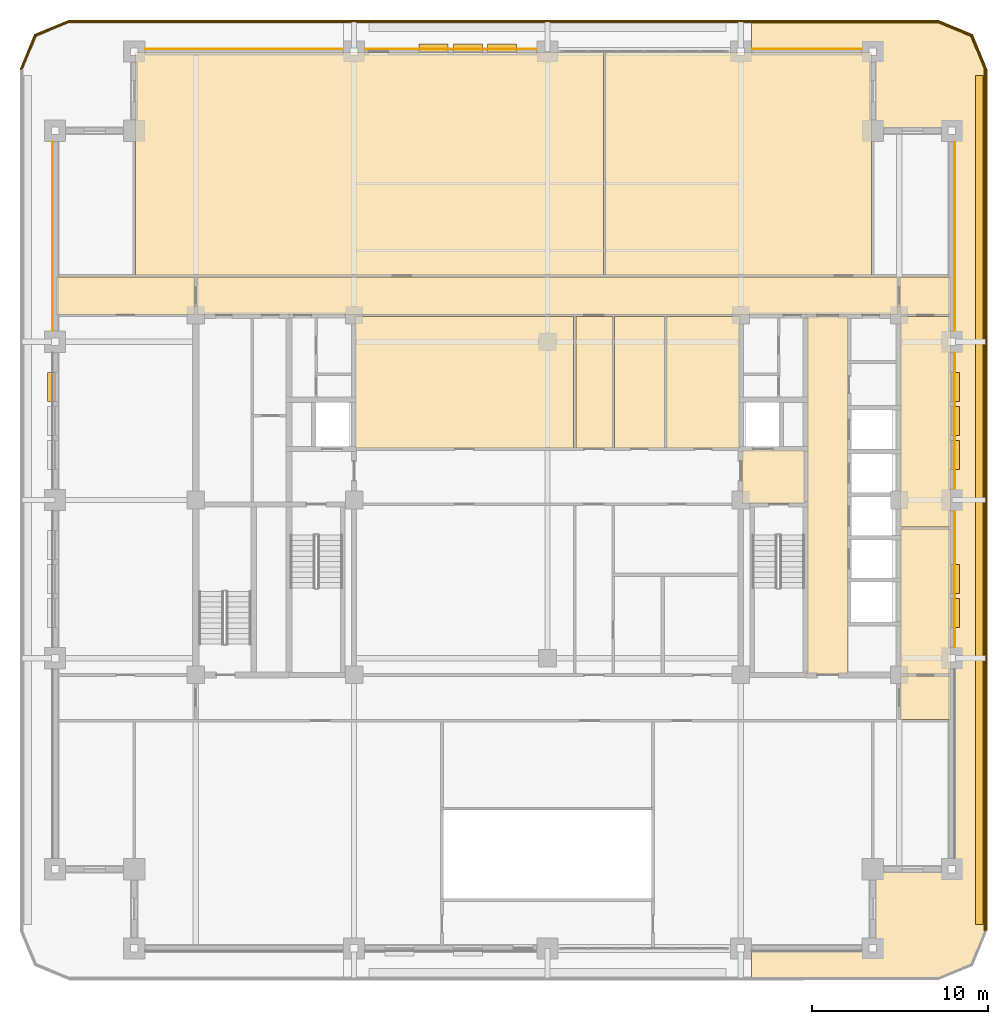
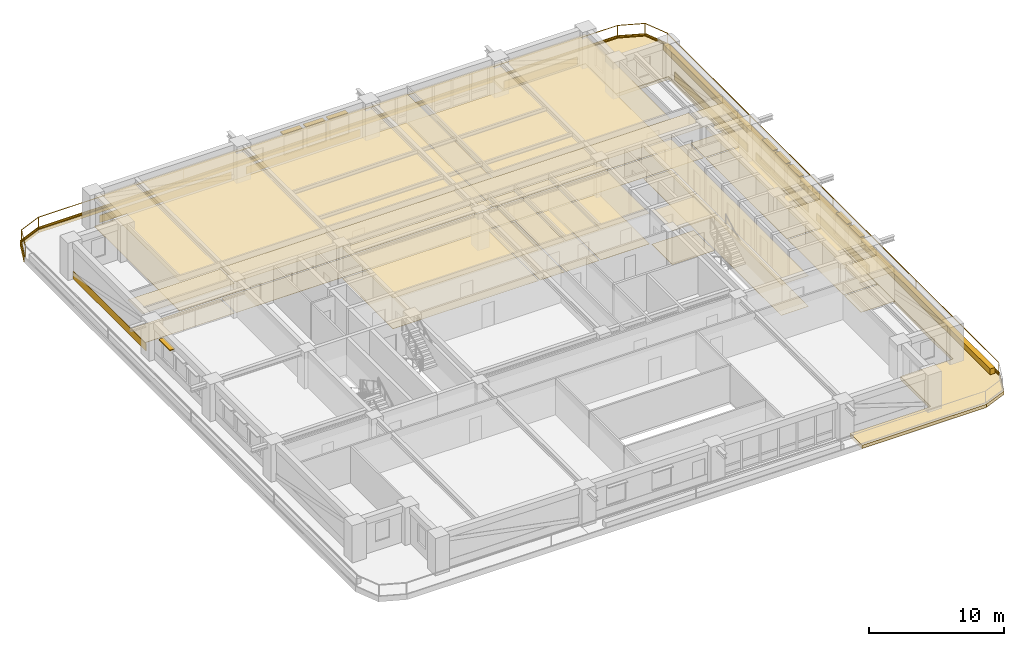
# One storey, part 20 of 20: 43 coverings, 9 shading devices, 2 railings.
"""IFC4 building model written with IfcOpenShell, lengths in metres."""

from ifc_helpers import new_model, si_unit, direction, frame, frame_2d, origin, origin_2d, place, context, subcontext, project, spatial, polyline, rectangle, outline, extrude, material, layer, layer_set, type_object, element, save


model = new_model("IFC4")

# Units and contexts
model_context = context("Model", 3, precision=1e-05, world=origin(), true_north=direction((0.0, 1.0)))
body_context = subcontext(model_context, "Body", "Model", "MODEL_VIEW")
ifc_project = project(units=[si_unit("LENGTHUNIT", "METRE"), si_unit("AREAUNIT", "SQUARE_METRE"), si_unit("VOLUMEUNIT", "CUBIC_METRE"), si_unit("PLANEANGLEUNIT", "RADIAN"), si_unit("MASSUNIT", "GRAM", prefix="KILO")], contexts=[model_context])

# Site, building, storey
site_placement = place(None, origin())
site = spatial("IfcSite", under=ifc_project, at=site_placement, CompositionType="ELEMENT")
building_placement = place(site_placement, origin())
building = spatial("IfcBuilding", under=site, at=building_placement, Name="Zulmaris Gate Convention Tower", CompositionType="ELEMENT")
storey_placement = place(building_placement, frame((0.0, 0.0, 146.33984375)))
storey = spatial("IfcBuildingStorey", under=building, at=storey_placement, Name="L37", CompositionType="ELEMENT", Elevation=146.33984375)

# Coverings
ifc_material_1 = material(Name="Precast concrete C40/50", Category="concrete")
ifc_layer_1 = layer(ifc_material_1, 0.0400390625, Name="Precast concrete C40/50")
ifc_layer_set_1 = layer_set([ifc_layer_1], Name="Precast concrete C40/50")
covering_type_1 = type_object("IfcCoveringType", Name="CLAD-SPANDREL-PRECAST", PredefinedType="CLADDING", material=ifc_layer_set_1)
covering_1_placement = place(storey_placement, frame((-11.6298828125, 25.64990234375, 0.0), z_axis=(0.0, 0.0, 1.0), x_axis=(-1.0, 0.0, 0.0)))
element("IfcCovering", 1, at=covering_1_placement, inside=storey, type_object=covering_type_1, Name="CLD-L37-N-0_0", PredefinedType="CLADDING", context=body_context, shape_type="SweptSolid", body=[
    extrude(rectangle(XDim=11.240234375, YDim=0.0400390625, at=frame_2d((5.6201171875, 0.0))), origin(), (0.0, 0.0, 1.0), 0.679931640625),
])
covering_2_placement = place(storey_placement, frame((-0.6298828125, 25.64990234375, 0.0), z_axis=(0.0, 0.0, 1.0), x_axis=(-1.0, 0.0, 0.0)))
element("IfcCovering", 2, at=covering_2_placement, inside=storey, type_object=covering_type_1, Name="CLD-L37-N-1_0", PredefinedType="CLADDING", context=body_context, shape_type="SweptSolid", body=[
    extrude(rectangle(XDim=9.740234375, YDim=0.0400390625, at=frame_2d((4.8701171875, 0.0))), origin(), (0.0, 0.0, 1.0), 0.679931640625),
])
covering_3_placement = place(storey_placement, frame((17.8701171875, 25.64990234375, 0.0), z_axis=(0.0, 0.0, 1.0), x_axis=(-1.0, 0.0, 0.0)))
element("IfcCovering", 3, at=covering_3_placement, inside=storey, type_object=covering_type_1, Name="CLD-L37-N-3_0", PredefinedType="CLADDING", context=body_context, shape_type="SweptSolid", body=[
    extrude(rectangle(XDim=6.240234375, YDim=0.0400390625, at=frame_2d((3.1201171875, 0.0))), origin(), (0.0, 0.0, 1.0), 0.679931640625),
])
for number, where, z_axis, x_axis, name in (
    (4, (23.14990234375, -8.3701171875, 0.0), (0.0, 0.0, 1.0), (0.0, 1.0, 0.0), "CLD-L37-E-1_0"),
    (5, (23.14990234375, 0.6298828125, 0.0), (0.0, 0.0, 1.0), (0.0, 1.0, 0.0), "CLD-L37-E-2_0"),
):
    element("IfcCovering", number, at=place(storey_placement, frame(where, z_axis=z_axis, x_axis=x_axis)), inside=storey, type_object=covering_type_1, Name=name, PredefinedType="CLADDING", context=body_context, shape_type="SweptSolid", body=[
        extrude(rectangle(XDim=7.740234375, YDim=0.0400390625, at=frame_2d((3.8701171875, 0.0))), origin(), (0.0, 0.0, 1.0), 0.679931640625),
    ])
for number, where, z_axis, x_axis, name in (
    (6, (23.14990234375, 9.6298828125, 0.0), (0.0, 0.0, 1.0), (0.0, 1.0, 0.0), "CLD-L37-E-3_0"),
    (7, (-28.14990234375, 20.3701171875, 0.0), (0.0, 0.0, 1.0), (0.0, -1.0, 0.0), "CLD-L37-W-3_0"),
):
    element("IfcCovering", number, at=place(storey_placement, frame(where, z_axis=z_axis, x_axis=x_axis)), inside=storey, type_object=covering_type_1, Name=name, PredefinedType="CLADDING", context=body_context, shape_type="SweptSolid", body=[
        extrude(rectangle(XDim=10.740234375, YDim=0.0400390625, at=frame_2d((5.3701171875, 0.0))), origin(), (0.0, 0.0, 1.0), 0.679931640625),
    ])
ifc_material_2 = material(Name="White Glazed Architectural Precast Concrete C40/50", Category="concrete")
ifc_layer_2 = layer(ifc_material_2, 0.239990234375, Name="White Glazed Architectural Precast Concrete C40/50")
ifc_layer_set_2 = layer_set([ifc_layer_2], Name="White Glazed Architectural Precast Concrete C40/50")
covering_type_2 = type_object("IfcCoveringType", Name="CLAD-TRAY-DECK", PredefinedType="CLADDING", material=ifc_layer_set_2)
covering_4_placement = place(storey_placement, frame((0.0, 0.0, -0.324951171875)))
element("IfcCovering", 8, at=covering_4_placement, inside=storey, type_object=covering_type_2, Name="L37 East Rounded-Fascia Planter Tray Deck", PredefinedType="CLADDING", context=body_context, shape_type="SweptSolid", body=[
    extrude(outline(polyline([(22.199951171875, 27.300048828125), (24.179931640625, 26.47998046875), (25.0, 24.5), (25.0, -24.5), (24.179931640625, -26.47998046875), (22.199951171875, -27.300048828125), (11.60205078125, -27.300048828125), (11.60205078125, -25.5), (18.5, -25.5), (18.5, -21.0), (23.0, -21.0), (23.0, 21.0), (18.5, 21.0), (18.5, 25.5), (11.60205078125, 25.5), (11.60205078125, 27.300048828125), (22.199951171875, 27.300048828125)])), origin(), (0.0, 0.0, 1.0), 0.284912109375),
])
ifc_layer_3 = layer(ifc_material_2, 0.080078125, Name="White Glazed Architectural Precast Concrete C40/50")
ifc_layer_set_3 = layer_set([ifc_layer_3], Name="White Glazed Architectural Precast Concrete C40/50")
covering_type_3 = type_object("IfcCoveringType", Name="CLAD-TRAY-FASCIA", PredefinedType="CLADDING", material=ifc_layer_set_3)
covering_5_placement = place(storey_placement, frame((24.9599609375, -24.5, -0.364990234375), z_axis=(0.0, 0.0, 1.0), x_axis=(0.0, 1.0, 0.0)))
element("IfcCovering", 9, at=covering_5_placement, inside=storey, type_object=covering_type_3, Name="FSC-L37-TR-05", PredefinedType="CLADDING", context=body_context, shape_type="SweptSolid", body=[
    extrude(rectangle(XDim=49.0, YDim=0.080078125, at=frame_2d((24.5, 0.0))), origin(), (0.0, 0.0, 1.0), 0.48486328125),
])
covering_6_placement = place(storey_placement, frame((24.962890625, 24.484619140625, -0.364990234375), z_axis=(0.0, 0.0, 1.0), x_axis=(-0.382656984709, 0.923890487046, 0.0)))
element("IfcCovering", 10, at=covering_6_placement, inside=storey, type_object=covering_type_3, Name="FSC-L37-TR-06", PredefinedType="CLADDING", context=body_context, shape_type="SweptSolid", body=[
    extrude(rectangle(XDim=2.14306640625, YDim=0.080078125, at=frame_2d((1.071533203125, 0.0))), origin(), (0.0, 0.0, 1.0), 0.48486328125),
])
covering_7_placement = place(storey_placement, frame((24.16455078125, 26.44287109375, -0.364990234375), z_axis=(0.0, 0.0, 1.0), x_axis=(-0.923873803533, 0.382697263049, 0.0)))
element("IfcCovering", 11, at=covering_7_placement, inside=storey, type_object=covering_type_3, Name="FSC-L37-TR-07", PredefinedType="CLADDING", context=body_context, shape_type="SweptSolid", body=[
    extrude(rectangle(XDim=2.142822265625, YDim=0.080078125, at=frame_2d((1.0712890625, 0.0))), origin(), (0.0, 0.0, 1.0), 0.48486328125),
])
covering_8_placement = place(storey_placement, frame((22.199951171875, 27.260009765625, -0.364990234375), z_axis=(0.0, 0.0, 1.0), x_axis=(-1.0, 0.0, 0.0)))
element("IfcCovering", 12, at=covering_8_placement, inside=storey, type_object=covering_type_3, Name="FSC-L37-TR-08", PredefinedType="CLADDING", context=body_context, shape_type="SweptSolid", body=[
    extrude(rectangle(XDim=49.39990234375, YDim=0.080078125, at=frame_2d((24.699951171875, 0.0))), origin(), (0.0, 0.0, 1.0), 0.48486328125),
])
covering_9_placement = place(storey_placement, frame((-27.184814453125, 27.262939453125, -0.364990234375), z_axis=(0.0, 0.0, 1.0), x_axis=(-0.923873803533, -0.382697263049, 0.0)))
element("IfcCovering", 13, at=covering_9_placement, inside=storey, type_object=covering_type_3, Name="FSC-L37-TR-09", PredefinedType="CLADDING", context=body_context, shape_type="SweptSolid", body=[
    extrude(rectangle(XDim=2.142822265625, YDim=0.080078125, at=frame_2d((1.0712890625, 0.0))), origin(), (0.0, 0.0, 1.0), 0.48486328125),
])
covering_10_placement = place(storey_placement, frame((-29.142822265625, 26.464599609375, -0.364990234375), z_axis=(0.0, 0.0, 1.0), x_axis=(-0.382656984709, -0.923890487046, 0.0)))
element("IfcCovering", 14, at=covering_10_placement, inside=storey, type_object=covering_type_3, Name="FSC-L37-TR-10", PredefinedType="CLADDING", context=body_context, shape_type="SweptSolid", body=[
    extrude(rectangle(XDim=2.14306640625, YDim=0.080078125, at=frame_2d((1.071533203125, 0.0))), origin(), (0.0, 0.0, 1.0), 0.48486328125),
])
ifc_material_3 = material(Name="Mineral Fibre Acoustic Ceiling Tile")
ifc_layer_4 = layer(ifc_material_3, 0.02001953125, Name="Mineral Fibre Acoustic Ceiling Tile")
ifc_layer_set_4 = layer_set([ifc_layer_4], Name="Mineral Fibre Acoustic Ceiling Tile")
covering_type_4 = type_object("IfcCoveringType", Name="CLG-ACOUSTIC-600", PredefinedType="CEILING", material=ifc_layer_set_4)
covering_11_placement = place(storey_placement, frame((0.0, 0.0, 3.0400390625)))
element("IfcCovering", 15, at=covering_11_placement, inside=storey, type_object=covering_type_4, Name="CLG-L37-R08", PredefinedType="CEILING", context=body_context, shape_type="SweptSolid", body=[
    extrude(outline(polyline([(11.06005859375, -0.18994140625), (14.639892578125, -0.18994140625), (14.639892578125, 2.840087890625), (11.06005859375, 2.840087890625), (11.06005859375, -0.18994140625)])), origin(), (0.0, 0.0, 1.0), 0.02001953125),
])
covering_12_placement = place(storey_placement, frame((0.0, 0.0, 2.778076171875)))
element("IfcCovering", 16, at=covering_12_placement, inside=storey, type_object=covering_type_4, Name="CLG-L37-R27", PredefinedType="CEILING", context=body_context, shape_type="SweptSolid", body=[
    extrude(outline(polyline([(14.760009765625, -9.889892578125), (17.090087890625, -9.889892578125), (17.090087890625, 10.43994140625), (14.760009765625, 10.43994140625), (14.760009765625, -9.889892578125)])), origin(), (0.0, 0.0, 1.0), 0.02001953125),
])
covering_13_placement = place(storey_placement, frame((0.0, 0.0, 2.778076171875)))
element("IfcCovering", 17, at=covering_13_placement, inside=storey, type_object=covering_type_4, Name="CLG-L37-R32", PredefinedType="CEILING", context=body_context, shape_type="SweptSolid", body=[
    extrude(outline(polyline([(-19.93994140625, 10.56005859375), (19.93994140625, 10.56005859375), (19.93994140625, 12.68994140625), (-19.93994140625, 12.68994140625), (-19.93994140625, 10.56005859375)])), origin(), (0.0, 0.0, 1.0), 0.02001953125),
])
covering_14_placement = place(storey_placement, frame((0.0, 0.0, 2.778076171875)))
element("IfcCovering", 18, at=covering_14_placement, inside=storey, type_object=covering_type_4, Name="CLG-L37-R35", PredefinedType="CEILING", context=body_context, shape_type="SweptSolid", body=[
    extrude(outline(polyline([(1.610107421875, 2.9599609375), (3.68994140625, 2.9599609375), (3.68994140625, 10.43994140625), (1.610107421875, 10.43994140625), (1.610107421875, 2.9599609375)])), origin(), (0.0, 0.0, 1.0), 0.02001953125),
])
covering_15_placement = place(storey_placement, frame((0.0, 0.0, 2.68017578125)))
element("IfcCovering", 19, at=covering_15_placement, inside=storey, type_object=covering_type_4, Name="CLG-L37-R37", PredefinedType="CEILING", context=body_context, shape_type="SweptSolid", body=[
    extrude(outline(polyline([(-23.43994140625, 12.81005859375), (3.18994140625, 12.81005859375), (3.18994140625, 25.43994140625), (-23.43994140625, 25.43994140625), (-23.43994140625, 12.81005859375)])), origin(), (0.0, 0.0, 1.0), 0.019775390625),
])
covering_16_placement = place(storey_placement, frame((0.0, 0.0, 2.68017578125)))
element("IfcCovering", 20, at=covering_16_placement, inside=storey, type_object=covering_type_4, Name="CLG-L37-R38", PredefinedType="CEILING", context=body_context, shape_type="SweptSolid", body=[
    extrude(outline(polyline([(3.31005859375, 12.81005859375), (18.43994140625, 12.81005859375), (18.43994140625, 25.43994140625), (3.31005859375, 25.43994140625), (3.31005859375, 12.81005859375)])), origin(), (0.0, 0.0, 1.0), 0.019775390625),
])
covering_17_placement = place(storey_placement, frame((0.0, 0.0, 2.778076171875)))
element("IfcCovering", 21, at=covering_17_placement, inside=storey, type_object=covering_type_4, Name="CLG-L37-R43", PredefinedType="CEILING", context=body_context, shape_type="SweptSolid", body=[
    extrude(outline(polyline([(-10.93994140625, 2.9599609375), (1.489990234375, 2.9599609375), (1.489990234375, 10.43994140625), (-10.93994140625, 10.43994140625), (-10.93994140625, 2.9599609375)])), origin(), (0.0, 0.0, 1.0), 0.02001953125),
])
covering_18_placement = place(storey_placement, frame((0.0, 0.0, 2.778076171875)))
element("IfcCovering", 22, at=covering_18_placement, inside=storey, type_object=covering_type_4, Name="CLG-L37-R44", PredefinedType="CEILING", context=body_context, shape_type="SweptSolid", body=[
    extrude(outline(polyline([(3.81005859375, 2.9599609375), (6.659912109375, 2.9599609375), (6.659912109375, 10.43994140625), (3.81005859375, 10.43994140625), (3.81005859375, 2.9599609375)])), origin(), (0.0, 0.0, 1.0), 0.02001953125),
])
covering_19_placement = place(storey_placement, frame((0.0, 0.0, 2.778076171875)))
element("IfcCovering", 23, at=covering_19_placement, inside=storey, type_object=covering_type_4, Name="CLG-L37-R45", PredefinedType="CEILING", context=body_context, shape_type="SweptSolid", body=[
    extrude(outline(polyline([(6.780029296875, 2.9599609375), (10.93994140625, 2.9599609375), (10.93994140625, 10.43994140625), (6.780029296875, 10.43994140625), (6.780029296875, 2.9599609375)])), origin(), (0.0, 0.0, 1.0), 0.02001953125),
])
covering_20_placement = place(storey_placement, frame((0.0, 0.0, 2.68017578125)))
element("IfcCovering", 24, at=covering_20_placement, inside=storey, type_object=covering_type_4, Name="CLG-L37-R50", PredefinedType="CEILING", context=body_context, shape_type="SweptSolid", body=[
    extrude(outline(polyline([(-27.93994140625, 10.56005859375), (-20.06005859375, 10.56005859375), (-20.06005859375, 12.68994140625), (-27.93994140625, 12.68994140625), (-27.93994140625, 10.56005859375)])), origin(), (0.0, 0.0, 1.0), 0.019775390625),
])
covering_21_placement = place(storey_placement, frame((0.0, 0.0, 2.68017578125)))
element("IfcCovering", 25, at=covering_21_placement, inside=storey, type_object=covering_type_4, Name="CLG-L37-R53", PredefinedType="CEILING", context=body_context, shape_type="SweptSolid", body=[
    extrude(outline(polyline([(20.06005859375, 10.56005859375), (22.93994140625, 10.56005859375), (22.93994140625, 12.68994140625), (20.06005859375, 12.68994140625), (20.06005859375, 10.56005859375)])), origin(), (0.0, 0.0, 1.0), 0.019775390625),
])
covering_22_placement = place(storey_placement, frame((0.0, 0.0, 2.68017578125)))
element("IfcCovering", 26, at=covering_22_placement, inside=storey, type_object=covering_type_4, Name="CLG-L37-R54", PredefinedType="CEILING", context=body_context, shape_type="SweptSolid", body=[
    extrude(outline(polyline([(20.06005859375, -12.489990234375), (22.93994140625, -12.489990234375), (22.93994140625, -10.010009765625), (20.06005859375, -10.010009765625), (20.06005859375, -12.489990234375)])), origin(), (0.0, 0.0, 1.0), 0.019775390625),
])
covering_23_placement = place(storey_placement, frame((0.0, 0.0, 2.68017578125)))
element("IfcCovering", 27, at=covering_23_placement, inside=storey, type_object=covering_type_4, Name="CLG-L37-R55", PredefinedType="CEILING", context=body_context, shape_type="SweptSolid", body=[
    extrude(outline(polyline([(20.06005859375, -1.5400390625), (22.93994140625, -1.5400390625), (22.93994140625, 10.43994140625), (20.06005859375, 10.43994140625), (20.06005859375, -1.5400390625)])), origin(), (0.0, 0.0, 1.0), 0.019775390625),
])
covering_24_placement = place(storey_placement, frame((0.0, 0.0, 2.68017578125)))
element("IfcCovering", 28, at=covering_24_placement, inside=storey, type_object=covering_type_4, Name="CLG-L37-R56", PredefinedType="CEILING", context=body_context, shape_type="SweptSolid", body=[
    extrude(outline(polyline([(20.06005859375, -9.889892578125), (22.93994140625, -9.889892578125), (22.93994140625, -1.659912109375), (20.06005859375, -1.659912109375), (20.06005859375, -9.889892578125)])), origin(), (0.0, 0.0, 1.0), 0.019775390625),
])
ifc_material_4 = material(Name="Woven Acoustic Wool Carpet Tile")
ifc_layer_5 = layer(ifc_material_4, 0.02001953125, Name="Woven Acoustic Wool Carpet Tile")
ifc_layer_set_5 = layer_set([ifc_layer_5], Name="Woven Acoustic Wool Carpet Tile")
covering_type_5 = type_object("IfcCoveringType", Name="FLR-CARPET-12", PredefinedType="FLOORING", material=ifc_layer_set_5)
covering_25_placement = place(storey_placement, origin())
element("IfcCovering", 29, at=covering_25_placement, inside=storey, type_object=covering_type_5, Name="FLR-L37-R08", PredefinedType="FLOORING", context=body_context, shape_type="SweptSolid", body=[
    extrude(outline(polyline([(11.06005859375, -0.18994140625), (14.639892578125, -0.18994140625), (14.639892578125, 2.840087890625), (11.06005859375, 2.840087890625), (11.06005859375, -0.18994140625)])), origin(), (0.0, 0.0, 1.0), 0.02001953125),
])
covering_26_placement = place(storey_placement, origin())
element("IfcCovering", 30, at=covering_26_placement, inside=storey, type_object=covering_type_5, Name="FLR-L37-R27", PredefinedType="FLOORING", context=body_context, shape_type="SweptSolid", body=[
    extrude(outline(polyline([(14.760009765625, -9.889892578125), (17.090087890625, -9.889892578125), (17.090087890625, 10.43994140625), (14.760009765625, 10.43994140625), (14.760009765625, -9.889892578125)])), origin(), (0.0, 0.0, 1.0), 0.02001953125),
])
covering_27_placement = place(storey_placement, origin())
element("IfcCovering", 31, at=covering_27_placement, inside=storey, type_object=covering_type_5, Name="FLR-L37-R32", PredefinedType="FLOORING", context=body_context, shape_type="SweptSolid", body=[
    extrude(outline(polyline([(-19.93994140625, 10.56005859375), (19.93994140625, 10.56005859375), (19.93994140625, 12.68994140625), (-19.93994140625, 12.68994140625), (-19.93994140625, 10.56005859375)])), origin(), (0.0, 0.0, 1.0), 0.02001953125),
])
covering_28_placement = place(storey_placement, origin())
element("IfcCovering", 32, at=covering_28_placement, inside=storey, type_object=covering_type_5, Name="FLR-L37-R35", PredefinedType="FLOORING", context=body_context, shape_type="SweptSolid", body=[
    extrude(outline(polyline([(1.610107421875, 2.9599609375), (3.68994140625, 2.9599609375), (3.68994140625, 10.43994140625), (1.610107421875, 10.43994140625), (1.610107421875, 2.9599609375)])), origin(), (0.0, 0.0, 1.0), 0.02001953125),
])
covering_29_placement = place(storey_placement, origin())
element("IfcCovering", 33, at=covering_29_placement, inside=storey, type_object=covering_type_5, Name="FLR-L37-R38", PredefinedType="FLOORING", context=body_context, shape_type="SweptSolid", body=[
    extrude(outline(polyline([(3.31005859375, 12.81005859375), (18.43994140625, 12.81005859375), (18.43994140625, 25.43994140625), (3.31005859375, 25.43994140625), (3.31005859375, 12.81005859375)])), origin(), (0.0, 0.0, 1.0), 0.02001953125),
])
covering_30_placement = place(storey_placement, origin())
element("IfcCovering", 34, at=covering_30_placement, inside=storey, type_object=covering_type_5, Name="FLR-L37-R45", PredefinedType="FLOORING", context=body_context, shape_type="SweptSolid", body=[
    extrude(outline(polyline([(6.780029296875, 2.9599609375), (10.93994140625, 2.9599609375), (10.93994140625, 10.43994140625), (6.780029296875, 10.43994140625), (6.780029296875, 2.9599609375)])), origin(), (0.0, 0.0, 1.0), 0.02001953125),
])
covering_31_placement = place(storey_placement, origin())
element("IfcCovering", 35, at=covering_31_placement, inside=storey, type_object=covering_type_5, Name="FLR-L37-R50", PredefinedType="FLOORING", context=body_context, shape_type="SweptSolid", body=[
    extrude(outline(polyline([(-27.93994140625, 10.56005859375), (-20.06005859375, 10.56005859375), (-20.06005859375, 12.68994140625), (-27.93994140625, 12.68994140625), (-27.93994140625, 10.56005859375)])), origin(), (0.0, 0.0, 1.0), 0.02001953125),
])
covering_32_placement = place(storey_placement, origin())
element("IfcCovering", 36, at=covering_32_placement, inside=storey, type_object=covering_type_5, Name="FLR-L37-R53", PredefinedType="FLOORING", context=body_context, shape_type="SweptSolid", body=[
    extrude(outline(polyline([(20.06005859375, 10.56005859375), (22.93994140625, 10.56005859375), (22.93994140625, 12.68994140625), (20.06005859375, 12.68994140625), (20.06005859375, 10.56005859375)])), origin(), (0.0, 0.0, 1.0), 0.02001953125),
])
covering_33_placement = place(storey_placement, origin())
element("IfcCovering", 37, at=covering_33_placement, inside=storey, type_object=covering_type_5, Name="FLR-L37-R54", PredefinedType="FLOORING", context=body_context, shape_type="SweptSolid", body=[
    extrude(outline(polyline([(20.06005859375, -12.489990234375), (22.93994140625, -12.489990234375), (22.93994140625, -10.010009765625), (20.06005859375, -10.010009765625), (20.06005859375, -12.489990234375)])), origin(), (0.0, 0.0, 1.0), 0.02001953125),
])
covering_34_placement = place(storey_placement, origin())
element("IfcCovering", 38, at=covering_34_placement, inside=storey, type_object=covering_type_5, Name="FLR-L37-R55", PredefinedType="FLOORING", context=body_context, shape_type="SweptSolid", body=[
    extrude(outline(polyline([(20.06005859375, -1.5400390625), (22.93994140625, -1.5400390625), (22.93994140625, 10.43994140625), (20.06005859375, 10.43994140625), (20.06005859375, -1.5400390625)])), origin(), (0.0, 0.0, 1.0), 0.02001953125),
])
covering_35_placement = place(storey_placement, origin())
element("IfcCovering", 39, at=covering_35_placement, inside=storey, type_object=covering_type_5, Name="FLR-L37-R56", PredefinedType="FLOORING", context=body_context, shape_type="SweptSolid", body=[
    extrude(outline(polyline([(20.06005859375, -9.889892578125), (22.93994140625, -9.889892578125), (22.93994140625, -1.659912109375), (20.06005859375, -1.659912109375), (20.06005859375, -9.889892578125)])), origin(), (0.0, 0.0, 1.0), 0.02001953125),
])
ifc_material_5 = material(Name="Polished Granite Terrazzo Tile", Category="masonry")
ifc_layer_6 = layer(ifc_material_5, 0.02001953125, Name="Polished Granite Terrazzo Tile")
ifc_layer_set_6 = layer_set([ifc_layer_6], Name="Polished Granite Terrazzo Tile")
covering_type_6 = type_object("IfcCoveringType", Name="FLR-TERRAZZO-30", PredefinedType="FLOORING", material=ifc_layer_set_6)
covering_36_placement = place(storey_placement, origin())
element("IfcCovering", 40, at=covering_36_placement, inside=storey, type_object=covering_type_6, Name="FLR-L37-R43", PredefinedType="FLOORING", context=body_context, shape_type="SweptSolid", body=[
    extrude(outline(polyline([(-10.93994140625, 2.9599609375), (1.489990234375, 2.9599609375), (1.489990234375, 10.43994140625), (-10.93994140625, 10.43994140625), (-10.93994140625, 2.9599609375)])), origin(), (0.0, 0.0, 1.0), 0.02001953125),
])
ifc_material_6 = material(Name="Engineered Teak Parquet Flooring")
ifc_layer_7 = layer(ifc_material_6, 0.02001953125, Name="Engineered Teak Parquet Flooring")
ifc_layer_set_7 = layer_set([ifc_layer_7], Name="Engineered Teak Parquet Flooring")
covering_type_7 = type_object("IfcCoveringType", Name="FLR-TIMBER-18", PredefinedType="FLOORING", material=ifc_layer_set_7)
covering_37_placement = place(storey_placement, origin())
element("IfcCovering", 41, at=covering_37_placement, inside=storey, type_object=covering_type_7, Name="FLR-L37-R37", PredefinedType="FLOORING", context=body_context, shape_type="SweptSolid", body=[
    extrude(outline(polyline([(-23.43994140625, 12.81005859375), (3.18994140625, 12.81005859375), (3.18994140625, 25.43994140625), (-23.43994140625, 25.43994140625), (-23.43994140625, 12.81005859375)])), origin(), (0.0, 0.0, 1.0), 0.02001953125),
])
covering_38_placement = place(storey_placement, origin())
element("IfcCovering", 42, at=covering_38_placement, inside=storey, type_object=covering_type_7, Name="FLR-L37-R44", PredefinedType="FLOORING", context=body_context, shape_type="SweptSolid", body=[
    extrude(outline(polyline([(3.81005859375, 2.9599609375), (6.659912109375, 2.9599609375), (6.659912109375, 10.43994140625), (3.81005859375, 10.43994140625), (3.81005859375, 2.9599609375)])), origin(), (0.0, 0.0, 1.0), 0.02001953125),
])
ifc_material_7 = material(Name="Botanical Green Glazed Precast Concrete C40/50", Category="concrete")
ifc_layer_8 = layer(ifc_material_7, 0.419921875, Name="Botanical Green Glazed Precast Concrete C40/50")
ifc_layer_set_8 = layer_set([ifc_layer_8], Name="Botanical Green Glazed Precast Concrete C40/50")
covering_type_8 = type_object("IfcCoveringType", Name="PLANTER-BOX-200", PredefinedType="CLADDING", material=ifc_layer_set_8)
covering_39_placement = place(storey_placement, frame((0.0, 0.0, -0.0400390625)))
element("IfcCovering", 43, at=covering_39_placement, inside=storey, type_object=covering_type_8, Name="L37 E Full-Length Balcony Tree Planter Trough", PredefinedType="CLADDING", context=body_context, shape_type="SweptSolid", body=[
    extrude(outline(polyline([(24.340087890625, -24.14990234375), (24.760009765625, -24.14990234375), (24.760009765625, 24.14990234375), (24.340087890625, 24.14990234375), (24.340087890625, -24.14990234375)])), origin(), (0.0, 0.0, 1.0), 0.52001953125),
])

# Railings
ifc_material_8 = material(Name="Laminated Glass and Stainless Steel", Category="steel")
railing_type = type_object("IfcRailingType", Name="RL-BALC-1150", PredefinedType="BALUSTRADE", material=ifc_material_8)
railing_1_placement = place(storey_placement, frame((24.8798828125, -24.5, -0.0400390625)))
element("IfcRailing", 44, at=railing_1_placement, inside=storey, type_object=railing_type, Name="RL-L37-BALC-E", PredefinedType="BALUSTRADE", context=body_context, shape_type="SweptSolid", body=[
    extrude(rectangle(XDim=0.048095703125, YDim=0.048095703125, at=origin_2d()), frame((0.0, 0.0, 1.1259765625), z_axis=(0.0, 1.0, 0.0), x_axis=(-1.0, 0.0, 0.0)), (0.0, 0.0, 1.0), 49.0),
    extrude(rectangle(XDim=0.048095703125, YDim=0.048095703125, at=origin_2d()), frame((0.0, 0.0, 0.02392578125), z_axis=(0.0, 1.0, 0.0), x_axis=(-1.0, 0.0, 0.0)), (0.0, 0.0, 1.0), 49.0),
    extrude(rectangle(XDim=0.0419921875, YDim=0.0419921875, at=origin_2d()), origin(), (0.0, 0.0, 1.0), 1.101806640625),
    extrude(rectangle(XDim=0.0419921875, YDim=0.0419921875, at=origin_2d()), frame((0.0, 12.25, 0.0)), (0.0, 0.0, 1.0), 1.101806640625),
    extrude(rectangle(XDim=0.0419921875, YDim=0.0419921875, at=origin_2d()), frame((0.0, 24.5, 0.0)), (0.0, 0.0, 1.0), 1.101806640625),
    extrude(rectangle(XDim=0.0419921875, YDim=0.0419921875, at=origin_2d()), frame((0.0, 36.75, 0.0)), (0.0, 0.0, 1.0), 1.101806640625),
    extrude(rectangle(XDim=0.0419921875, YDim=0.0419921875, at=origin_2d()), frame((0.0, 49.0, 0.0)), (0.0, 0.0, 1.0), 1.101806640625),
])
railing_2_placement = place(storey_placement, frame((24.8798828125, 24.5, -0.0400390625)))
element("IfcRailing", 45, at=railing_2_placement, inside=storey, type_object=railing_type, Name="RL-L37-BALC-N", PredefinedType="BALUSTRADE", context=body_context, shape_type="SweptSolid", body=[
    extrude(rectangle(XDim=0.048095703125, YDim=0.048095703125, at=origin_2d()), frame((0.0, 0.0, 1.1259765625), z_axis=(-0.382670664694, 0.92388482095, 0.0), x_axis=(-0.92388482095, -0.382670664694, 0.0)), (0.0, 0.0, 1.0), 2.051025390625),
    extrude(rectangle(XDim=0.048095703125, YDim=0.048095703125, at=origin_2d()), frame((0.0, 0.0, 0.02392578125), z_axis=(-0.382670664694, 0.92388482095, 0.0), x_axis=(-0.92388482095, -0.382670664694, 0.0)), (0.0, 0.0, 1.0), 2.051025390625),
    extrude(rectangle(XDim=0.048095703125, YDim=0.048095703125, at=origin_2d()), frame((-0.784912109375, 1.89501953125, 1.1259765625), z_axis=(-0.92388482095, 0.382670664694, 0.0), x_axis=(-0.382670664694, -0.92388482095, 0.0)), (0.0, 0.0, 1.0), 2.051025390625),
    extrude(rectangle(XDim=0.048095703125, YDim=0.048095703125, at=origin_2d()), frame((-0.784912109375, 1.89501953125, 0.02392578125), z_axis=(-0.92388482095, 0.382670664694, 0.0), x_axis=(-0.382670664694, -0.92388482095, 0.0)), (0.0, 0.0, 1.0), 2.051025390625),
    extrude(rectangle(XDim=0.048095703125, YDim=0.048095703125, at=origin_2d()), frame((-2.679931640625, 2.679931640625, 1.1259765625), z_axis=(-1.0, 0.0, 0.0), x_axis=(0.0, -1.0, 0.0)), (0.0, 0.0, 1.0), 49.39990234375),
    extrude(rectangle(XDim=0.048095703125, YDim=0.048095703125, at=origin_2d()), frame((-2.679931640625, 2.679931640625, 0.02392578125), z_axis=(-1.0, 0.0, 0.0), x_axis=(0.0, -1.0, 0.0)), (0.0, 0.0, 1.0), 49.39990234375),
    extrude(rectangle(XDim=0.048095703125, YDim=0.048095703125, at=origin_2d()), frame((-52.079833984375, 2.679931640625, 1.1259765625), z_axis=(-0.92388482095, -0.382670664694, 0.0), x_axis=(0.382670664694, -0.92388482095, 0.0)), (0.0, 0.0, 1.0), 2.051025390625),
    extrude(rectangle(XDim=0.048095703125, YDim=0.048095703125, at=origin_2d()), frame((-52.079833984375, 2.679931640625, 0.02392578125), z_axis=(-0.92388482095, -0.382670664694, 0.0), x_axis=(0.382670664694, -0.92388482095, 0.0)), (0.0, 0.0, 1.0), 2.051025390625),
    extrude(rectangle(XDim=0.048095703125, YDim=0.048095703125, at=origin_2d()), frame((-53.974853515625, 1.89501953125, 1.1259765625), z_axis=(-0.382670664694, -0.92388482095, 0.0), x_axis=(0.92388482095, -0.382670664694, 0.0)), (0.0, 0.0, 1.0), 2.051025390625),
    extrude(rectangle(XDim=0.048095703125, YDim=0.048095703125, at=origin_2d()), frame((-53.974853515625, 1.89501953125, 0.02392578125), z_axis=(-0.382670664694, -0.92388482095, 0.0), x_axis=(0.92388482095, -0.382670664694, 0.0)), (0.0, 0.0, 1.0), 2.051025390625),
    extrude(rectangle(XDim=0.0419921875, YDim=0.0419921875, at=origin_2d()), origin(), (0.0, 0.0, 1.0), 1.101806640625),
    extrude(rectangle(XDim=0.0419921875, YDim=0.0419921875, at=origin_2d()), frame((-0.784912109375, 1.89501953125, 0.0)), (0.0, 0.0, 1.0), 1.101806640625),
    extrude(rectangle(XDim=0.0419921875, YDim=0.0419921875, at=origin_2d()), frame((-2.679931640625, 2.679931640625, 0.0)), (0.0, 0.0, 1.0), 1.101806640625),
    extrude(rectangle(XDim=0.0419921875, YDim=0.0419921875, at=origin_2d()), frame((-15.02978515625, 2.679931640625, 0.0)), (0.0, 0.0, 1.0), 1.101806640625),
    extrude(rectangle(XDim=0.0419921875, YDim=0.0419921875, at=origin_2d()), frame((-27.3798828125, 2.679931640625, 0.0)), (0.0, 0.0, 1.0), 1.101806640625),
    extrude(rectangle(XDim=0.0419921875, YDim=0.0419921875, at=origin_2d()), frame((-39.72998046875, 2.679931640625, 0.0)), (0.0, 0.0, 1.0), 1.101806640625),
    extrude(rectangle(XDim=0.0419921875, YDim=0.0419921875, at=origin_2d()), frame((-52.079833984375, 2.679931640625, 0.0)), (0.0, 0.0, 1.0), 1.101806640625),
    extrude(rectangle(XDim=0.0419921875, YDim=0.0419921875, at=origin_2d()), frame((-53.974853515625, 1.89501953125, 0.0)), (0.0, 0.0, 1.0), 1.101806640625),
    extrude(rectangle(XDim=0.0419921875, YDim=0.0419921875, at=origin_2d()), frame((-54.759765625, 0.0, 0.0)), (0.0, 0.0, 1.0), 1.101806640625),
])

# Shading devices
ifc_material_9 = material(Name="Glazed Ceramic Terracotta", Category="masonry")
ifc_layer_9 = layer(ifc_material_9, 0.070068359375, Name="Glazed Ceramic Terracotta")
ifc_layer_set_9 = layer_set([ifc_layer_9], Name="Glazed Ceramic Terracotta")
shading_device_type = type_object("IfcShadingDeviceType", Name="SHD-SUNSHADE-TC", PredefinedType="AWNING", material=ifc_layer_set_9)
for number, where, z_axis, x_axis, name in (
    (46, (-1.7529296875, 25.719970703125, 2.530029296875), (0.0, 0.0, 1.0), (-1.0, 0.0, 0.0), "SHD-EW-L37-N-1_0-1"),
    (47, (-3.700927734375, 25.719970703125, 2.530029296875), (0.0, 0.0, 1.0), (-1.0, 0.0, 0.0), "SHD-EW-L37-N-1_0-2"),
    (48, (-5.64892578125, 25.719970703125, 2.530029296875), (0.0, 0.0, 1.0), (-1.0, 0.0, 0.0), "SHD-EW-L37-N-1_0-3"),
):
    element("IfcShadingDevice", number, at=place(storey_placement, frame(where, z_axis=z_axis, x_axis=x_axis)), inside=storey, type_object=shading_device_type, Name=name, PredefinedType="AWNING", context=body_context, shape_type="SweptSolid", body=[
        extrude(rectangle(XDim=1.650146484375, YDim=0.43994140625, at=frame_2d((0.8251953125, 0.0))), origin(), (0.0, 0.0, 1.0), 0.06982421875),
    ])
for number, where, z_axis, x_axis, name in (
    (49, (23.219970703125, -7.260009765625, 2.530029296875), (0.0, 0.0, 1.0), (0.0, 1.0, 0.0), "SHD-EW-L37-E-1_0-1"),
    (50, (23.219970703125, -5.324951171875, 2.530029296875), (0.0, 0.0, 1.0), (0.0, 1.0, 0.0), "SHD-EW-L37-E-1_0-2"),
    (51, (23.219970703125, 1.739990234375, 2.530029296875), (0.0, 0.0, 1.0), (0.0, 1.0, 0.0), "SHD-EW-L37-E-2_0-1"),
    (52, (23.219970703125, 3.675048828125, 2.530029296875), (0.0, 0.0, 1.0), (0.0, 1.0, 0.0), "SHD-EW-L37-E-2_0-2"),
    (53, (23.219970703125, 5.610107421875, 2.530029296875), (0.0, 0.0, 1.0), (0.0, 1.0, 0.0), "SHD-EW-L37-E-2_0-3"),
    (54, (-28.219970703125, 7.260009765625, 2.530029296875), (0.0, 0.0, 1.0), (0.0, -1.0, 0.0), "SHD-EW-L37-W-2_0-1"),
):
    element("IfcShadingDevice", number, at=place(storey_placement, frame(where, z_axis=z_axis, x_axis=x_axis)), inside=storey, type_object=shading_device_type, Name=name, PredefinedType="AWNING", context=body_context, shape_type="SweptSolid", body=[
        extrude(rectangle(XDim=1.64990234375, YDim=0.43994140625, at=frame_2d((0.824951171875, 0.0))), origin(), (0.0, 0.0, 1.0), 0.06982421875),
    ])

save(model, "model.ifc")
